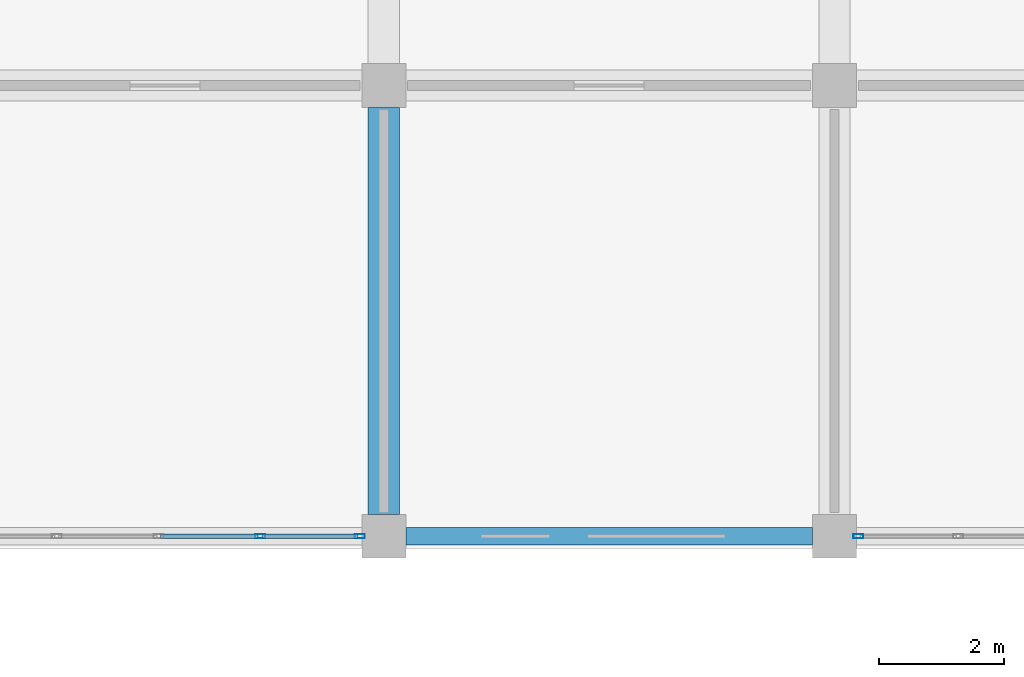
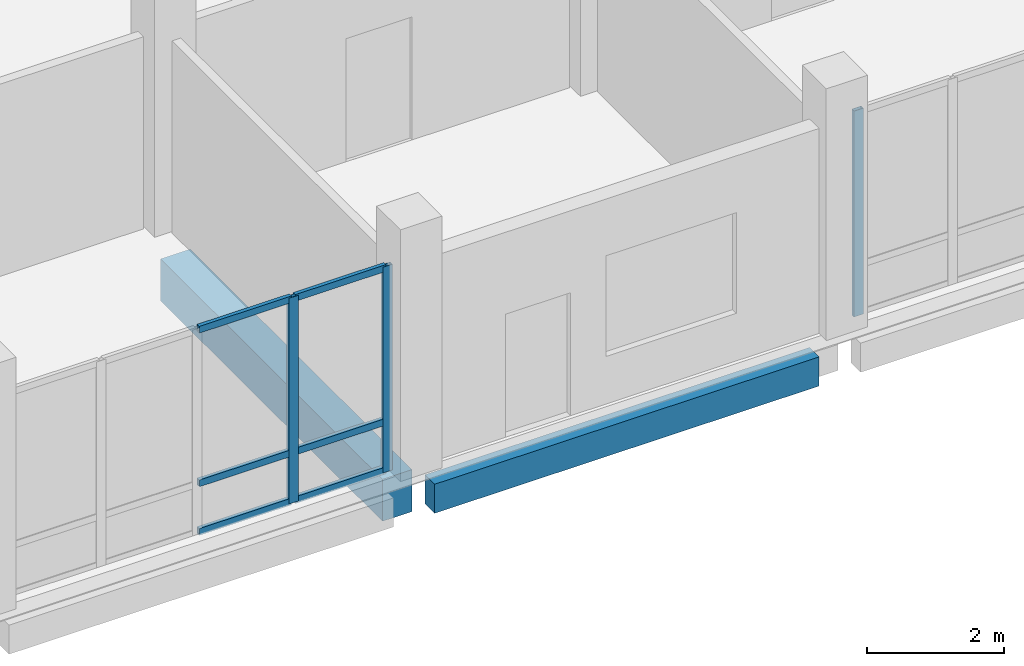
# One storey, part 67 of 139: 9 members, 2 beams, 2 elements without a shape of their own.
"""IFC4 building model written with IfcOpenShell, lengths in metres."""

from ifc_helpers import new_model, si_unit, direction, frame, origin, origin_2d, place, context, subcontext, project, spatial, rectangle, hollow_rectangle, extrude, material, material_profile, profile_set, type_object, element, aggregate, save


model = new_model("IFC4")

# Units and contexts
model_context = context("Model", 3, precision=1e-05, world=origin(), true_north=direction((0.0, 1.0)))
body_context = subcontext(model_context, "Body", "Model", "MODEL_VIEW")
ifc_project = project(units=[si_unit("LENGTHUNIT", "METRE"), si_unit("AREAUNIT", "SQUARE_METRE"), si_unit("VOLUMEUNIT", "CUBIC_METRE"), si_unit("PLANEANGLEUNIT", "RADIAN"), si_unit("MASSUNIT", "GRAM", prefix="KILO")], contexts=[model_context])

# Site, building, storey
site_placement = place(None, origin())
site = spatial("IfcSite", under=ifc_project, at=site_placement, CompositionType="ELEMENT")
building_placement = place(site_placement, origin())
building = spatial("IfcBuilding", under=site, at=building_placement, Name="Suanplinth Sawtooth Commons", CompositionType="ELEMENT")
storey_placement = place(building_placement, origin())
storey = spatial("IfcBuildingStorey", under=building, at=storey_placement, Name="L00", CompositionType="ELEMENT", Elevation=0.0)

# Beams
ifc_material_1 = material(Name="Concrete C40/50", Category="concrete")
ifc_material_profile_1 = material_profile(ifc_material_1, rectangle(XDim=0.5, YDim=0.75, at=origin_2d()), Name="RC-GDR 500x750")
ifc_profile_set_1 = profile_set([ifc_material_profile_1], Name="Concrete C40/50")
beam_type_1 = type_object("IfcBeamType", Name="B-03", PredefinedType="USERDEFINED", material=ifc_profile_set_1)
beam_1_placement = place(storey_placement, frame((129.60009765625, 0.35009765625, -0.794921875), z_axis=(0.0, 1.0, 0.0), x_axis=(-1.0, 0.0, 0.0)))
element("IfcBeam", 1, at=beam_1_placement, inside=storey, type_object=beam_type_1, Name="BMY-L00-C-18-0", ObjectType="GIRDER", PredefinedType="USERDEFINED", context=body_context, shape_type="SweptSolid", body=[
    extrude(rectangle(XDim=0.5, YDim=0.75, at=origin_2d()), origin(), (0.0, 0.0, 1.0), 6.5),
])
ifc_material_2 = material(Name="Precast concrete C40/50", Category="concrete")
ifc_material_profile_2 = material_profile(ifc_material_2, rectangle(XDim=0.280029296875, YDim=0.52001953125, at=origin_2d()), Name="PC-SP 280x520")
ifc_profile_set_2 = profile_set([ifc_material_profile_2], Name="Precast concrete C40/50")
beam_type_2 = type_object("IfcBeamType", Name="B-08", PredefinedType="SPANDREL", material=ifc_profile_set_2)
beam_2_placement = place(storey_placement, frame((129.949951171875, 0.0, -0.679931640625), z_axis=(1.0, 0.0, 0.0), x_axis=(0.0, 1.0, 0.0)))
element("IfcBeam", 2, at=beam_2_placement, inside=storey, type_object=beam_type_2, Name="BMX-L00-C-18-0", PredefinedType="SPANDREL", context=body_context, shape_type="SweptSolid", body=[
    extrude(rectangle(XDim=0.280029296875, YDim=0.52001953125, at=origin_2d()), origin(), (0.0, 0.0, 1.0), 6.5),
])

# Curtain wall, members
ifc_material_3 = material(Name="Anodized aluminium and low-E glazing", Category="aluminium")
curtain_wall_type = type_object("IfcCurtainWallType", Name="CW-04", PredefinedType="USERDEFINED", material=ifc_material_3)
curtain_wall_1_placement = place(storey_placement, origin())
curtain_wall_1 = element("IfcCurtainWall", 3, at=curtain_wall_1_placement, inside=storey, type_object=curtain_wall_type, Name="Curtain Wall CW-L00-C-S-17", ObjectType="CURTAIN WALL", PredefinedType="USERDEFINED")
ifc_material_4 = material(Name="Anodized aluminium 6063-T6", Category="aluminium")
ifc_material_profile_3 = material_profile(ifc_material_4, hollow_rectangle(XDim=0.06494140625, YDim=0.159912109375, WallThickness=0.00390625, at=origin_2d()), Name="ALU-MUL 65x160")
ifc_profile_set_3 = profile_set([ifc_material_profile_3], Name="Anodized aluminium 6063-T6")
member_type_1 = type_object("IfcMemberType", Name="M-13", PredefinedType="MULLION", material=ifc_profile_set_3)
member_1_placement = place(storey_placement, frame((127.625, 0.0, 0.0), z_axis=(0.0, 0.0, 1.0), x_axis=(0.0, 1.0, 0.0)))
member_1 = element("IfcMember", 4, at=member_1_placement, type_object=member_type_1, Name="CW-04 mullion 4", PredefinedType="MULLION", context=body_context, shape_type="SweptSolid", body=[
    extrude(hollow_rectangle(XDim=0.06494140625, YDim=0.159912109375, WallThickness=0.00390625, at=origin_2d()), origin(), (0.0, 0.0, 1.0), 3.679931640625),
])
member_2_placement = place(storey_placement, frame((129.217529296875, 0.0, 0.0), z_axis=(0.0, 0.0, 1.0), x_axis=(0.0, 1.0, 0.0)))
member_2 = element("IfcMember", 5, at=member_2_placement, type_object=member_type_1, Name="CW-04 mullion 5", PredefinedType="MULLION", context=body_context, shape_type="SweptSolid", body=[
    extrude(hollow_rectangle(XDim=0.06494140625, YDim=0.159912109375, WallThickness=0.00390625, at=origin_2d()), origin(), (0.0, 0.0, 1.0), 3.679931640625),
])

# Curtain wall, member
curtain_wall_2_placement = place(storey_placement, origin())
curtain_wall_2 = element("IfcCurtainWall", 6, at=curtain_wall_2_placement, inside=storey, type_object=curtain_wall_type, Name="Curtain Wall CW-L00-C-S-19", ObjectType="CURTAIN WALL", PredefinedType="USERDEFINED")
member_3_placement = place(storey_placement, frame((137.1826171875, 0.0, 0.0), z_axis=(0.0, 0.0, 1.0), x_axis=(0.0, 1.0, 0.0)))
member_3 = element("IfcMember", 7, at=member_3_placement, type_object=member_type_1, Name="CW-04 mullion 1", PredefinedType="MULLION", context=body_context, shape_type="SweptSolid", body=[
    extrude(hollow_rectangle(XDim=0.06494140625, YDim=0.159912109375, WallThickness=0.00390625, at=origin_2d()), origin(), (0.0, 0.0, 1.0), 3.679931640625),
])
aggregate(curtain_wall_2, [member_3])

# Member
ifc_material_profile_4 = material_profile(ifc_material_4, hollow_rectangle(XDim=0.06494140625, YDim=0.1201171875, WallThickness=0.00390625, at=origin_2d()), Name="ALU-TRN 65x120")
ifc_profile_set_4 = profile_set([ifc_material_profile_4], Name="Anodized aluminium 6063-T6")
member_type_2 = type_object("IfcMemberType", Name="M-15", PredefinedType="USERDEFINED", material=ifc_profile_set_4)
member_4_placement = place(storey_placement, frame((126.032470703125, 0.0, 0.032470703125), z_axis=(1.0, 0.0, 0.0), x_axis=(0.0, 1.0, 0.0)))
member_4 = element("IfcMember", 8, at=member_4_placement, type_object=member_type_2, Name="CW-04 transom 3.1", ObjectType="TRANSOM", PredefinedType="USERDEFINED", context=body_context, shape_type="SweptSolid", body=[
    extrude(hollow_rectangle(XDim=0.06494140625, YDim=0.1201171875, WallThickness=0.00390625, at=origin_2d()), origin(), (0.0, 0.0, 1.0), 1.56005859375),
])

member_5_placement = place(storey_placement, frame((126.032470703125, 0.0, 0.89990234375), z_axis=(1.0, 0.0, 0.0), x_axis=(0.0, 1.0, 0.0)))
member_5 = element("IfcMember", 9, at=member_5_placement, type_object=member_type_2, Name="CW-04 transom 3.2", ObjectType="TRANSOM", PredefinedType="USERDEFINED", context=body_context, shape_type="SweptSolid", body=[
    extrude(hollow_rectangle(XDim=0.06494140625, YDim=0.1201171875, WallThickness=0.00390625, at=origin_2d()), origin(), (0.0, 0.0, 1.0), 1.56005859375),
])

member_6_placement = place(storey_placement, frame((126.032470703125, 0.0, 3.6474609375), z_axis=(1.0, 0.0, 0.0), x_axis=(0.0, 1.0, 0.0)))
member_6 = element("IfcMember", 10, at=member_6_placement, type_object=member_type_2, Name="CW-04 transom 3.3", ObjectType="TRANSOM", PredefinedType="USERDEFINED", context=body_context, shape_type="SweptSolid", body=[
    extrude(hollow_rectangle(XDim=0.06494140625, YDim=0.1201171875, WallThickness=0.00390625, at=origin_2d()), origin(), (0.0, 0.0, 1.0), 1.56005859375),
])

member_7_placement = place(storey_placement, frame((127.657470703125, 0.0, 0.032470703125), z_axis=(1.0, 0.0, 0.0), x_axis=(0.0, 1.0, 0.0)))
member_7 = element("IfcMember", 11, at=member_7_placement, type_object=member_type_2, Name="CW-04 transom 4.1", ObjectType="TRANSOM", PredefinedType="USERDEFINED", context=body_context, shape_type="SweptSolid", body=[
    extrude(hollow_rectangle(XDim=0.06494140625, YDim=0.1201171875, WallThickness=0.00390625, at=origin_2d()), origin(), (0.0, 0.0, 1.0), 1.527587890625),
])

member_8_placement = place(storey_placement, frame((127.657470703125, 0.0, 0.89990234375), z_axis=(1.0, 0.0, 0.0), x_axis=(0.0, 1.0, 0.0)))
member_8 = element("IfcMember", 12, at=member_8_placement, type_object=member_type_2, Name="CW-04 transom 4.2", ObjectType="TRANSOM", PredefinedType="USERDEFINED", context=body_context, shape_type="SweptSolid", body=[
    extrude(hollow_rectangle(XDim=0.06494140625, YDim=0.1201171875, WallThickness=0.00390625, at=origin_2d()), origin(), (0.0, 0.0, 1.0), 1.527587890625),
])

member_9_placement = place(storey_placement, frame((127.657470703125, 0.0, 3.6474609375), z_axis=(1.0, 0.0, 0.0), x_axis=(0.0, 1.0, 0.0)))
member_9 = element("IfcMember", 13, at=member_9_placement, type_object=member_type_2, Name="CW-04 transom 4.3", ObjectType="TRANSOM", PredefinedType="USERDEFINED", context=body_context, shape_type="SweptSolid", body=[
    extrude(hollow_rectangle(XDim=0.06494140625, YDim=0.1201171875, WallThickness=0.00390625, at=origin_2d()), origin(), (0.0, 0.0, 1.0), 1.527587890625),
])

aggregate(curtain_wall_1, [member_1, member_2, member_4, member_5, member_6, member_7, member_8, member_9])

save(model, "model.ifc")
